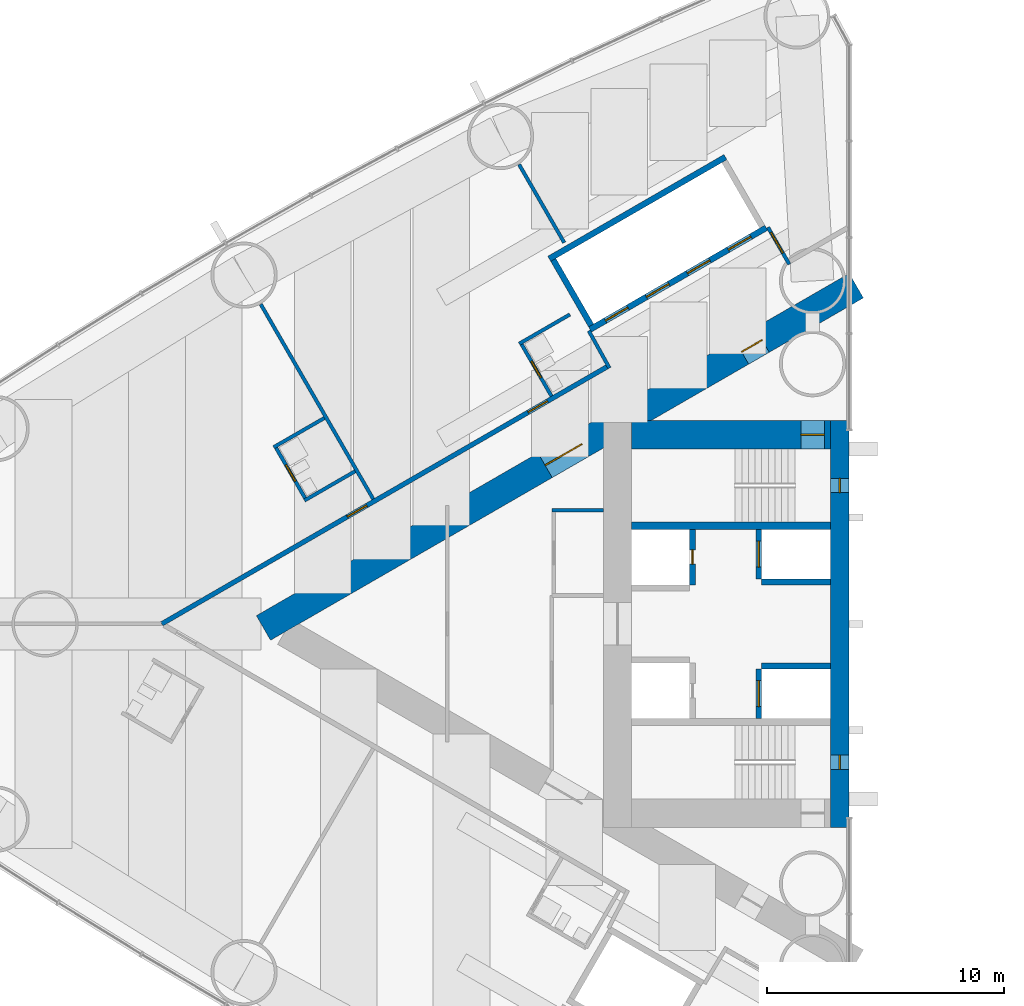
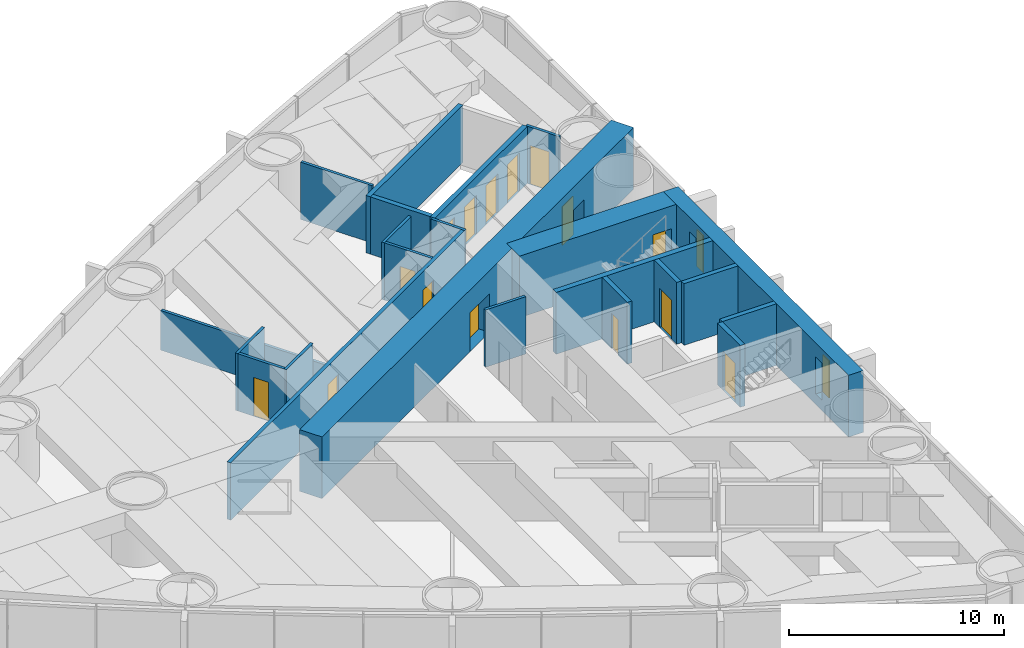
# One storey, part 12 of 19: 23 walls, 15 doors, 2 windows, 17 openings.
"""IFC4 building model written with IfcOpenShell, lengths in metres."""

from ifc_helpers import new_model, si_unit, direction, frame, frame_2d, origin, place, context, subcontext, project, spatial, rectangle, extrude, material, layer, layer_set, type_object, element, fill, save


model = new_model("IFC4")

# Units and contexts
model_context = context("Model", 3, precision=1e-05, world=origin(), true_north=direction((0.0, 1.0)))
body_context = subcontext(model_context, "Body", "Model", "MODEL_VIEW")
ifc_project = project(units=[si_unit("LENGTHUNIT", "METRE"), si_unit("AREAUNIT", "SQUARE_METRE"), si_unit("VOLUMEUNIT", "CUBIC_METRE"), si_unit("PLANEANGLEUNIT", "RADIAN"), si_unit("MASSUNIT", "GRAM", prefix="KILO")], contexts=[model_context])

# Site, building, storey
site_placement = place(None, origin())
site = spatial("IfcSite", under=ifc_project, at=site_placement, CompositionType="ELEMENT")
building_placement = place(site_placement, origin())
building = spatial("IfcBuilding", under=site, at=building_placement, Name="Lancet Gate Hotel", CompositionType="ELEMENT")
storey_placement = place(building_placement, frame((0.0, 0.0, 39.0)))
storey = spatial("IfcBuildingStorey", under=building, at=storey_placement, Name="L09", CompositionType="ELEMENT", Elevation=39.0)

# Wall
ifc_material_1 = material(Name="Moisture resistant board partition")
ifc_layer_1 = layer(ifc_material_1, 0.14990234375)
ifc_layer_set_1 = layer_set([ifc_layer_1], Name="Bathroom wall 150")
wall_type_1 = type_object("IfcWallType", Name="Bathroom wall 150", PredefinedType="PARTITIONING", material=ifc_layer_set_1)
wall_1_placement = place(storey_placement, frame((-49.691650390625, 8.704345703125, 0.0), z_axis=(0.0, 0.0, 1.0), x_axis=(-0.866073894602, -0.499916002032, 0.0)))
element("IfcWall", 1, at=wall_1_placement, inside=storey, type_object=wall_type_1, Name="T1 bathroom wall 150 L09", PredefinedType="PARTITIONING", context=body_context, shape_type="SweptSolid", body=[
    extrude(rectangle(XDim=2.47509765625, YDim=0.14990234375, at=frame_2d((1.237548828125, 0.0))), origin(), (0.0, 0.0, 1.0), 3.25),
])

# Wall, opening, door
wall_2_placement = place(storey_placement, frame((-50.47021484375, 5.252685546875, 0.0), z_axis=(0.0, 0.0, 1.0), x_axis=(-0.500006934395, 0.866021400173, 0.0)))
wall_2 = element("IfcWall", 2, at=wall_2_placement, inside=storey, type_object=wall_type_1, Name="T1 bathroom wall 150 L09", PredefinedType="PARTITIONING", context=body_context, shape_type="SweptSolid", body=[
    extrude(rectangle(XDim=2.60009765625, YDim=0.14990234375, at=frame_2d((1.300048828125, 0.0))), origin(), (0.0, 0.0, 1.0), 3.25),
])
opening_1_placement = place(wall_2_placement, frame((0.89990234375, 0.0, 0.0)))
opening_1 = element("IfcOpeningElement", 3, at=opening_1_placement, cuts=wall_2, Name="Opening 0903-B", PredefinedType="OPENING", context=body_context, shape_type="SweptSolid", body=[
    extrude(rectangle(XDim=0.800048828125, YDim=2.199951171875, at=frame_2d((0.39990234375, 1.10009765625))), frame((0.0, 0.0849609375, 0.0), z_axis=(0.0, -1.0, 0.0), x_axis=(1.0, 0.0, 0.0)), (0.0, 0.0, 1.0), 0.169921875),
])
ifc_material_2 = material(Name="Timber door set", Category="wood")
door_type_1 = type_object("IfcDoorType", Name="Bathroom door 800", OperationType="SINGLE_SWING_RIGHT", PredefinedType="DOOR", material=ifc_material_2)
door_1_placement = place(opening_1_placement, origin())
door_1 = element("IfcDoor", 4, at=door_1_placement, inside=storey, type_object=door_type_1, Name="0903-B", OperationType="SINGLE_SWING_RIGHT", OverallHeight=2.199951171875, OverallWidth=0.800048828125, PredefinedType="DOOR", context=body_context, shape_type="SweptSolid", body=[
    extrude(rectangle(XDim=0.800048828125, YDim=2.199951171875, at=frame_2d((0.39990234375, 1.10009765625))), frame((0.0, 0.02490234375, 0.0), z_axis=(0.0, -1.0, 0.0), x_axis=(1.0, 0.0, 0.0)), (0.0, 0.0, 1.0), 0.050048828125),
])
fill(opening_1, door_1)

# Walls
wall_3_placement = place(storey_placement, frame((-48.391845703125, 6.45263671875, 0.0), z_axis=(0.0, 0.0, 1.0), x_axis=(-0.86604923931, -0.499958713387, 0.0)))
element("IfcWall", 5, at=wall_3_placement, inside=storey, type_object=wall_type_1, Name="T1 bathroom wall 150 L09", PredefinedType="PARTITIONING", context=body_context, shape_type="SweptSolid", body=[
    extrude(rectangle(XDim=2.474853515625, YDim=0.14990234375, at=frame_2d((1.2373046875, 0.0))), origin(), (0.0, 0.0, 1.0), 3.25),
])
wall_4_placement = place(storey_placement, frame((-39.309814453125, 13.081787109375, 0.0), z_axis=(0.0, 0.0, 1.0), x_axis=(-0.866031185235, -0.4999899861, 0.0)))
element("IfcWall", 6, at=wall_4_placement, inside=storey, type_object=wall_type_1, Name="T1 bathroom wall 150 L09", PredefinedType="PARTITIONING", context=body_context, shape_type="SweptSolid", body=[
    extrude(rectangle(XDim=2.47509765625, YDim=0.14990234375, at=frame_2d((1.237548828125, 0.0))), origin(), (0.0, 0.0, 1.0), 3.25),
])

# Wall, opening, door
wall_5_placement = place(storey_placement, frame((-40.08837890625, 9.630126953125, 0.0), z_axis=(0.0, 0.0, 1.0), x_axis=(-0.500006934395, 0.866021400173, 0.0)))
wall_5 = element("IfcWall", 7, at=wall_5_placement, inside=storey, type_object=wall_type_1, Name="T1 bathroom wall 150 L09", PredefinedType="PARTITIONING", context=body_context, shape_type="SweptSolid", body=[
    extrude(rectangle(XDim=2.60009765625, YDim=0.14990234375, at=frame_2d((1.300048828125, 0.0))), origin(), (0.0, 0.0, 1.0), 3.25),
])
opening_2_placement = place(wall_5_placement, frame((0.89990234375, 0.0, 0.0)))
opening_2 = element("IfcOpeningElement", 8, at=opening_2_placement, cuts=wall_5, Name="Opening 0902-B", PredefinedType="OPENING", context=body_context, shape_type="SweptSolid", body=[
    extrude(rectangle(XDim=0.800048828125, YDim=2.199951171875, at=frame_2d((0.39990234375, 1.10009765625))), frame((0.0, 0.0849609375, 0.0), z_axis=(0.0, -1.0, 0.0), x_axis=(1.0, 0.0, 0.0)), (0.0, 0.0, 1.0), 0.169921875),
])
door_2_placement = place(opening_2_placement, origin())
door_2 = element("IfcDoor", 9, at=door_2_placement, inside=storey, type_object=door_type_1, Name="0902-B", OperationType="SINGLE_SWING_RIGHT", OverallHeight=2.199951171875, OverallWidth=0.800048828125, PredefinedType="DOOR", context=body_context, shape_type="SweptSolid", body=[
    extrude(rectangle(XDim=0.800048828125, YDim=2.199951171875, at=frame_2d((0.39990234375, 1.10009765625))), frame((0.0, 0.02490234375, 0.0), z_axis=(0.0, -1.0, 0.0), x_axis=(1.0, 0.0, 0.0)), (0.0, 0.0, 1.0), 0.050048828125),
])
fill(opening_2, door_2)

# Wall, openings, doors
ifc_material_3 = material(Name="Concrete C70/85", Category="concrete")
ifc_layer_2 = layer(ifc_material_3, 1.199951171875)
ifc_layer_set_2 = layer_set([ifc_layer_2], Name="Buttress wall 1200")
wall_type_2 = type_object("IfcWallType", Name="Buttress wall 1200", PredefinedType="SHEAR", material=ifc_layer_set_2)
wall_6_placement = place(storey_placement, frame((-27.199951171875, 14.300048828125, 0.0), z_axis=(0.0, 0.0, 1.0), x_axis=(-0.866026593062, -0.499997940104, 0.0)))
wall_6 = element("IfcWall", 10, at=wall_6_placement, inside=storey, type_object=wall_type_2, Name="T1 buttress wall S L09", PredefinedType="SHEAR", context=body_context, shape_type="SweptSolid", body=[
    extrude(rectangle(XDim=28.9462890625, YDim=1.199951171875, at=frame_2d((14.47314453125, 0.0))), origin(), (0.0, 0.0, 1.0), 3.5),
])
opening_3_placement = place(wall_6_placement, frame((4.60009765625, 0.0, 0.0)))
opening_3 = element("IfcOpeningElement", 11, at=opening_3_placement, cuts=wall_6, Name="Opening T1-L09-LS", PredefinedType="OPENING", context=body_context, shape_type="SweptSolid", body=[
    extrude(rectangle(XDim=1.0, YDim=2.199951171875, at=frame_2d((0.5, 1.10009765625))), frame((0.0, 0.60986328125, 0.0), z_axis=(0.0, -1.0, 0.0), x_axis=(1.0, 0.0, 0.0)), (0.0, 0.0, 1.0), 1.219970703125),
])
opening_4_placement = place(wall_6_placement, frame((13.39453125, 0.0, 0.0)))
opening_4 = element("IfcOpeningElement", 12, at=opening_4_placement, cuts=wall_6, Name="Opening T1-L09-LHS", PredefinedType="OPENING", context=body_context, shape_type="SweptSolid", body=[
    extrude(rectangle(XDim=1.800048828125, YDim=2.199951171875, at=frame_2d((0.89990234375, 1.10009765625))), frame((0.0, 0.60986328125, 0.0), z_axis=(0.0, -1.0, 0.0), x_axis=(1.0, 0.0, 0.0)), (0.0, 0.0, 1.0), 1.219970703125),
])
ifc_material_4 = material(Name="Timber door set", Category="wood")
door_type_2 = type_object("IfcDoorType", Name="Lobby double door 1800", OperationType="DOUBLE_DOOR_SINGLE_SWING", PredefinedType="DOOR", material=ifc_material_4)
door_3_placement = place(opening_4_placement, origin())
door_3 = element("IfcDoor", 13, at=door_3_placement, inside=storey, type_object=door_type_2, Name="T1-L09-LHS", OperationType="DOUBLE_DOOR_SINGLE_SWING", OverallHeight=2.199951171875, OverallWidth=1.800048828125, PredefinedType="DOOR", context=body_context, shape_type="SweptSolid", body=[
    extrude(rectangle(XDim=1.800048828125, YDim=2.199951171875, at=frame_2d((0.89990234375, 1.10009765625))), frame((0.0, 0.02490234375, 0.0), z_axis=(0.0, -1.0, 0.0), x_axis=(1.0, 0.0, 0.0)), (0.0, 0.0, 1.0), 0.050048828125),
])
fill(opening_4, door_3)
ifc_material_5 = material(Name="Timber door set", Category="wood")
door_type_3 = type_object("IfcDoorType", Name="Stair lobby door 1000", OperationType="SINGLE_SWING_LEFT", PredefinedType="DOOR", material=ifc_material_5)
door_4_placement = place(opening_3_placement, origin())
door_4 = element("IfcDoor", 14, at=door_4_placement, inside=storey, type_object=door_type_3, Name="T1-L09-LS", OperationType="SINGLE_SWING_LEFT", OverallHeight=2.199951171875, OverallWidth=1.0, PredefinedType="DOOR", context=body_context, shape_type="SweptSolid", body=[
    extrude(rectangle(XDim=1.0, YDim=2.199951171875, at=frame_2d((0.5, 1.10009765625))), frame((0.0, 0.02490234375, 0.0), z_axis=(0.0, -1.0, 0.0), x_axis=(1.0, 0.0, 0.0)), (0.0, 0.0, 1.0), 0.050048828125),
])
fill(opening_3, door_4)

# Wall, opening, door
ifc_material_6 = material(Name="Concrete C70/85", Category="concrete")
ifc_layer_3 = layer(ifc_material_6, 1.199951171875)
ifc_layer_set_3 = layer_set([ifc_layer_3], Name="Core wall 1200")
wall_type_3 = type_object("IfcWallType", Name="Core wall 1200", PredefinedType="SHEAR", material=ifc_layer_set_3)
wall_7_placement = place(storey_placement, frame((-28.300048828125, 8.0, 0.0), z_axis=(0.0, 0.0, 1.0), x_axis=(-1.0, 0.0, 0.0)))
wall_7 = element("IfcWall", 15, at=wall_7_placement, inside=storey, type_object=wall_type_3, Name="T1 core wall side-S L09", PredefinedType="SHEAR", context=body_context, shape_type="SweptSolid", body=[
    extrude(rectangle(XDim=8.39990234375, YDim=1.199951171875, at=frame_2d((4.199951171875, 0.0))), origin(), (0.0, 0.0, 1.0), 3.5),
])
opening_5_placement = place(wall_7_placement, frame((0.25, 0.0, 0.0)))
opening_5 = element("IfcOpeningElement", 16, at=opening_5_placement, cuts=wall_7, Name="Opening T1-L09-ST1", PredefinedType="OPENING", context=body_context, shape_type="SweptSolid", body=[
    extrude(rectangle(XDim=1.0, YDim=2.199951171875, at=frame_2d((0.5, 1.10009765625))), frame((0.0, 0.60986328125, 0.0), z_axis=(0.0, -1.0, 0.0), x_axis=(1.0, 0.0, 0.0)), (0.0, 0.0, 1.0), 1.219970703125),
])
ifc_material_7 = material(Name="Timber door set", Category="wood")
door_type_4 = type_object("IfcDoorType", Name="Stair door 1000", OperationType="SINGLE_SWING_RIGHT", PredefinedType="DOOR", material=ifc_material_7)
door_5_placement = place(opening_5_placement, origin())
door_5 = element("IfcDoor", 17, at=door_5_placement, inside=storey, type_object=door_type_4, Name="T1-L09-ST1", OperationType="SINGLE_SWING_RIGHT", OverallHeight=2.199951171875, OverallWidth=1.0, PredefinedType="DOOR", context=body_context, shape_type="SweptSolid", body=[
    extrude(rectangle(XDim=1.0, YDim=2.199951171875, at=frame_2d((0.5, 1.10009765625))), frame((0.0, 0.02490234375, 0.0), z_axis=(0.0, -1.0, 0.0), x_axis=(1.0, 0.0, 0.0)), (0.0, 0.0, 1.0), 0.050048828125),
])
fill(opening_5, door_5)

# Wall, openings, windows
ifc_material_8 = material(Name="Concrete C70/85", Category="concrete")
ifc_layer_4 = layer(ifc_material_8, 0.800048828125)
ifc_layer_set_4 = layer_set([ifc_layer_4], Name="Core wall 800")
wall_type_4 = type_object("IfcWallType", Name="Core wall 800", PredefinedType="SHEAR", material=ifc_layer_set_4)
wall_8_placement = place(storey_placement, frame((-27.89990234375, 8.60009765625, 0.0), z_axis=(0.0, 0.0, 1.0), x_axis=(0.0, -1.0, 0.0)))
wall_8 = element("IfcWall", 18, at=wall_8_placement, inside=storey, type_object=wall_type_4, Name="T1 core wall front L09", PredefinedType="SHEAR", context=body_context, shape_type="SweptSolid", body=[
    extrude(rectangle(XDim=17.2001953125, YDim=0.800048828125, at=frame_2d((8.60009765625, 0.0))), origin(), (0.0, 0.0, 1.0), 3.5),
])
opening_6_placement = place(wall_8_placement, frame((2.449951171875, 0.0, 0.60009765625)))
opening_6 = element("IfcOpeningElement", 19, at=opening_6_placement, cuts=wall_8, Name="Opening LW1", PredefinedType="OPENING", context=body_context, shape_type="SweptSolid", body=[
    extrude(rectangle(XDim=0.60009765625, YDim=2.10009765625, at=frame_2d((0.300048828125, 1.050048828125))), frame((0.0, 0.409912109375, 0.0), z_axis=(0.0, -1.0, 0.0), x_axis=(1.0, 0.0, 0.0)), (0.0, 0.0, 1.0), 0.820068359375),
])
opening_7_placement = place(wall_8_placement, frame((14.14990234375, 0.0, 0.60009765625)))
opening_7 = element("IfcOpeningElement", 20, at=opening_7_placement, cuts=wall_8, Name="Opening LW1", PredefinedType="OPENING", context=body_context, shape_type="SweptSolid", body=[
    extrude(rectangle(XDim=0.60009765625, YDim=2.10009765625, at=frame_2d((0.300048828125, 1.050048828125))), frame((0.0, 0.409912109375, 0.0), z_axis=(0.0, -1.0, 0.0), x_axis=(1.0, 0.0, 0.0)), (0.0, 0.0, 1.0), 0.820068359375),
])
ifc_material_9 = material(Name="Fire-resisting glazed steel window", Category="steel")
window_type = type_object("IfcWindowType", Name="Lancet window 600x2100", PartitioningType="SINGLE_PANEL", PredefinedType="WINDOW", material=ifc_material_9)
window_1_placement = place(opening_6_placement, origin())
window_1 = element("IfcWindow", 21, at=window_1_placement, inside=storey, type_object=window_type, Name="T1 stair window S L09", OverallHeight=2.10009765625, OverallWidth=0.60009765625, PartitioningType="SINGLE_PANEL", PredefinedType="WINDOW", context=body_context, shape_type="SweptSolid", body=[
    extrude(rectangle(XDim=0.60009765625, YDim=2.10009765625, at=frame_2d((0.300048828125, 1.050048828125))), frame((0.0, 0.030029296875, 0.0), z_axis=(0.0, -1.0, 0.0), x_axis=(1.0, 0.0, 0.0)), (0.0, 0.0, 1.0), 0.06005859375),
])
fill(opening_6, window_1)
window_2_placement = place(opening_7_placement, origin())
window_2 = element("IfcWindow", 22, at=window_2_placement, inside=storey, type_object=window_type, Name="T1 stair window N L09", OverallHeight=2.10009765625, OverallWidth=0.60009765625, PartitioningType="SINGLE_PANEL", PredefinedType="WINDOW", context=body_context, shape_type="SweptSolid", body=[
    extrude(rectangle(XDim=0.60009765625, YDim=2.10009765625, at=frame_2d((0.300048828125, 1.050048828125))), frame((0.0, 0.030029296875, 0.0), z_axis=(0.0, -1.0, 0.0), x_axis=(1.0, 0.0, 0.0)), (0.0, 0.0, 1.0), 0.06005859375),
])
fill(opening_7, window_2)

# Wall, openings, doors
ifc_material_10 = material(Name="Gypsum board partition")
ifc_layer_5 = layer(ifc_material_10, 0.199951171875)
ifc_layer_set_5 = layer_set([ifc_layer_5], Name="Corridor wall 200")
wall_type_5 = type_object("IfcWallType", Name="Corridor wall 200", PredefinedType="PARTITIONING", material=ifc_layer_set_5)
wall_9_placement = place(storey_placement, frame((-37.699951171875, 10.8935546875, 0.0), z_axis=(0.0, 0.0, 1.0), x_axis=(-0.866027905338, -0.499995667157, 0.0)))
wall_9 = element("IfcWall", 23, at=wall_9_placement, inside=storey, type_object=wall_type_5, Name="T1 corridor wall 200 L09", PredefinedType="PARTITIONING", context=body_context, shape_type="SweptSolid", body=[
    extrude(rectangle(XDim=21.787353515625, YDim=0.199951171875, at=frame_2d((10.8935546875, 0.0))), origin(), (0.0, 0.0, 1.0), 3.25),
])
opening_8_placement = place(wall_9_placement, frame((11.77978515625, 0.0, 0.0)))
opening_8 = element("IfcOpeningElement", 24, at=opening_8_placement, cuts=wall_9, Name="Opening 0903-E", PredefinedType="OPENING", context=body_context, shape_type="SweptSolid", body=[
    extrude(rectangle(XDim=0.949951171875, YDim=2.199951171875, at=frame_2d((0.47509765625, 1.10009765625))), frame((0.0, 0.10986328125, 0.0), z_axis=(0.0, -1.0, 0.0), x_axis=(1.0, 0.0, 0.0)), (0.0, 0.0, 1.0), 0.219970703125),
])
opening_9_placement = place(wall_9_placement, frame((2.949951171875, 0.0, 0.0)))
opening_9 = element("IfcOpeningElement", 25, at=opening_9_placement, cuts=wall_9, Name="Opening 0902-E", PredefinedType="OPENING", context=body_context, shape_type="SweptSolid", body=[
    extrude(rectangle(XDim=0.949951171875, YDim=2.199951171875, at=frame_2d((0.47509765625, 1.10009765625))), frame((0.0, 0.10986328125, 0.0), z_axis=(0.0, -1.0, 0.0), x_axis=(1.0, 0.0, 0.0)), (0.0, 0.0, 1.0), 0.219970703125),
])
ifc_material_11 = material(Name="Timber door set", Category="wood")
door_type_5 = type_object("IfcDoorType", Name="Guest room entry door 950", OperationType="SINGLE_SWING_LEFT", PredefinedType="DOOR", material=ifc_material_11)
door_6_placement = place(opening_8_placement, origin())
door_6 = element("IfcDoor", 26, at=door_6_placement, inside=storey, type_object=door_type_5, Name="0903-E", OperationType="SINGLE_SWING_LEFT", OverallHeight=2.199951171875, OverallWidth=0.949951171875, PredefinedType="DOOR", context=body_context, shape_type="SweptSolid", body=[
    extrude(rectangle(XDim=0.949951171875, YDim=2.199951171875, at=frame_2d((0.47509765625, 1.10009765625))), frame((0.0, 0.02490234375, 0.0), z_axis=(0.0, -1.0, 0.0), x_axis=(1.0, 0.0, 0.0)), (0.0, 0.0, 1.0), 0.050048828125),
])
fill(opening_8, door_6)
door_7_placement = place(opening_9_placement, origin())
door_7 = element("IfcDoor", 27, at=door_7_placement, inside=storey, type_object=door_type_5, Name="0902-E", OperationType="SINGLE_SWING_LEFT", OverallHeight=2.199951171875, OverallWidth=0.949951171875, PredefinedType="DOOR", context=body_context, shape_type="SweptSolid", body=[
    extrude(rectangle(XDim=0.949951171875, YDim=2.199951171875, at=frame_2d((0.47509765625, 1.10009765625))), frame((0.0, 0.02490234375, 0.0), z_axis=(0.0, -1.0, 0.0), x_axis=(1.0, 0.0, 0.0)), (0.0, 0.0, 1.0), 0.050048828125),
])
fill(opening_9, door_7)

ifc_material_12 = material(Name="Gypsum board partition")
ifc_layer_6 = layer(ifc_material_12, 0.25)
ifc_layer_set_6 = layer_set([ifc_layer_6], Name="Lift shaft partition 250")
wall_type_6 = type_object("IfcWallType", Name="Lift shaft partition 250", PredefinedType="PARTITIONING", material=ifc_layer_set_6)
wall_10_placement = place(storey_placement, frame((-31.010498046875, 16.747314453125, 0.0), z_axis=(0.0, 0.0, 1.0), x_axis=(-0.866028165386, -0.499995216735, 0.0)))
wall_10 = element("IfcWall", 28, at=wall_10_placement, inside=storey, type_object=wall_type_6, Name="T1 lift shaft wall LR L09", PredefinedType="PARTITIONING", context=body_context, shape_type="SweptSolid", body=[
    extrude(rectangle(XDim=8.60009765625, YDim=0.25, at=frame_2d((4.300048828125, 0.0))), origin(), (0.0, 0.0, 1.0), 3.25),
])
opening_10_placement = place(wall_10_placement, frame((0.75, 0.0, 0.0)))
opening_10 = element("IfcOpeningElement", 29, at=opening_10_placement, cuts=wall_10, Name="Opening T1-LR1-L09", PredefinedType="OPENING", context=body_context, shape_type="SweptSolid", body=[
    extrude(rectangle(XDim=1.10009765625, YDim=2.199951171875, at=frame_2d((0.550048828125, 1.10009765625))), frame((0.0, 0.135009765625, 0.0), z_axis=(0.0, -1.0, 0.0), x_axis=(1.0, 0.0, 0.0)), (0.0, 0.0, 1.0), 0.27001953125),
])
opening_11_placement = place(wall_10_placement, frame((2.75, 0.0, 0.0)))
opening_11 = element("IfcOpeningElement", 30, at=opening_11_placement, cuts=wall_10, Name="Opening T1-LR2-L09", PredefinedType="OPENING", context=body_context, shape_type="SweptSolid", body=[
    extrude(rectangle(XDim=1.10009765625, YDim=2.199951171875, at=frame_2d((0.550048828125, 1.10009765625))), frame((0.0, 0.135009765625, 0.0), z_axis=(0.0, -1.0, 0.0), x_axis=(1.0, 0.0, 0.0)), (0.0, 0.0, 1.0), 0.27001953125),
])
opening_12_placement = place(wall_10_placement, frame((4.75, 0.0, 0.0)))
opening_12 = element("IfcOpeningElement", 31, at=opening_12_placement, cuts=wall_10, Name="Opening T1-LR3-L09", PredefinedType="OPENING", context=body_context, shape_type="SweptSolid", body=[
    extrude(rectangle(XDim=1.10009765625, YDim=2.199951171875, at=frame_2d((0.550048828125, 1.10009765625))), frame((0.0, 0.135009765625, 0.0), z_axis=(0.0, -1.0, 0.0), x_axis=(1.0, 0.0, 0.0)), (0.0, 0.0, 1.0), 0.27001953125),
])
opening_13_placement = place(wall_10_placement, frame((6.75, 0.0, 0.0)))
opening_13 = element("IfcOpeningElement", 32, at=opening_13_placement, cuts=wall_10, Name="Opening T1-LR4-L09", PredefinedType="OPENING", context=body_context, shape_type="SweptSolid", body=[
    extrude(rectangle(XDim=1.10009765625, YDim=2.199951171875, at=frame_2d((0.550048828125, 1.10009765625))), frame((0.0, 0.135009765625, 0.0), z_axis=(0.0, -1.0, 0.0), x_axis=(1.0, 0.0, 0.0)), (0.0, 0.0, 1.0), 0.27001953125),
])
ifc_material_13 = material(Name="Steel door set", Category="steel")
door_type_6 = type_object("IfcDoorType", Name="Lift landing door 1100", OperationType="DOUBLE_DOOR_SLIDING", PredefinedType="USERDEFINED", material=ifc_material_13)
door_8_placement = place(opening_10_placement, origin())
door_8 = element("IfcDoor", 33, at=door_8_placement, inside=storey, type_object=door_type_6, Name="T1-LR1-L09", ObjectType="LIFT LANDING DOOR", OperationType="DOUBLE_DOOR_SLIDING", OverallHeight=2.199951171875, OverallWidth=1.10009765625, PredefinedType="USERDEFINED", context=body_context, shape_type="SweptSolid", body=[
    extrude(rectangle(XDim=1.10009765625, YDim=2.199951171875, at=frame_2d((0.550048828125, 1.10009765625))), frame((0.0, 0.02490234375, 0.0), z_axis=(0.0, -1.0, 0.0), x_axis=(1.0, 0.0, 0.0)), (0.0, 0.0, 1.0), 0.050048828125),
])
fill(opening_10, door_8)
door_9_placement = place(opening_11_placement, origin())
door_9 = element("IfcDoor", 34, at=door_9_placement, inside=storey, type_object=door_type_6, Name="T1-LR2-L09", ObjectType="LIFT LANDING DOOR", OperationType="DOUBLE_DOOR_SLIDING", OverallHeight=2.199951171875, OverallWidth=1.10009765625, PredefinedType="USERDEFINED", context=body_context, shape_type="SweptSolid", body=[
    extrude(rectangle(XDim=1.10009765625, YDim=2.199951171875, at=frame_2d((0.550048828125, 1.10009765625))), frame((0.0, 0.02490234375, 0.0), z_axis=(0.0, -1.0, 0.0), x_axis=(1.0, 0.0, 0.0)), (0.0, 0.0, 1.0), 0.050048828125),
])
fill(opening_11, door_9)
door_10_placement = place(opening_12_placement, origin())
door_10 = element("IfcDoor", 35, at=door_10_placement, inside=storey, type_object=door_type_6, Name="T1-LR3-L09", ObjectType="LIFT LANDING DOOR", OperationType="DOUBLE_DOOR_SLIDING", OverallHeight=2.199951171875, OverallWidth=1.10009765625, PredefinedType="USERDEFINED", context=body_context, shape_type="SweptSolid", body=[
    extrude(rectangle(XDim=1.10009765625, YDim=2.199951171875, at=frame_2d((0.550048828125, 1.10009765625))), frame((0.0, 0.02490234375, 0.0), z_axis=(0.0, -1.0, 0.0), x_axis=(1.0, 0.0, 0.0)), (0.0, 0.0, 1.0), 0.050048828125),
])
fill(opening_12, door_10)
door_11_placement = place(opening_13_placement, origin())
door_11 = element("IfcDoor", 36, at=door_11_placement, inside=storey, type_object=door_type_6, Name="T1-LR4-L09", ObjectType="LIFT LANDING DOOR", OperationType="DOUBLE_DOOR_SLIDING", OverallHeight=2.199951171875, OverallWidth=1.10009765625, PredefinedType="USERDEFINED", context=body_context, shape_type="SweptSolid", body=[
    extrude(rectangle(XDim=1.10009765625, YDim=2.199951171875, at=frame_2d((0.550048828125, 1.10009765625))), frame((0.0, 0.02490234375, 0.0), z_axis=(0.0, -1.0, 0.0), x_axis=(1.0, 0.0, 0.0)), (0.0, 0.0, 1.0), 0.050048828125),
])
fill(opening_13, door_11)

# Walls
wall_11_placement = place(storey_placement, frame((-32.735595703125, 19.73583984375, 0.0), z_axis=(0.0, 0.0, 1.0), x_axis=(-0.866028165386, -0.499995216735, 0.0)))
element("IfcWall", 37, at=wall_11_placement, inside=storey, type_object=wall_type_6, Name="T1 lift shaft wall LR L09", PredefinedType="PARTITIONING", context=body_context, shape_type="SweptSolid", body=[
    extrude(rectangle(XDim=8.60009765625, YDim=0.25, at=frame_2d((4.300048828125, 0.0))), origin(), (0.0, 0.0, 1.0), 3.25),
])
wall_12_placement = place(storey_placement, frame((-38.412841796875, 12.617919921875, 0.0), z_axis=(0.0, 0.0, 1.0), x_axis=(-0.499872130319, 0.866099216793, 0.0)))
element("IfcWall", 38, at=wall_12_placement, inside=storey, type_object=wall_type_6, Name="T1 lift shaft wall LR L09", PredefinedType="PARTITIONING", context=body_context, shape_type="SweptSolid", body=[
    extrude(rectangle(XDim=3.200439453125, YDim=0.25, at=frame_2d((1.60009765625, 0.0))), origin(), (0.0, 0.0, 1.0), 3.25),
])

# Wall, opening, door
ifc_material_14 = material(Name="Concrete C50/60", Category="concrete")
ifc_layer_7 = layer(ifc_material_14, 0.25)
ifc_layer_set_7 = layer_set([ifc_layer_7], Name="Lift shaft wall 250")
wall_type_7 = type_object("IfcWallType", Name="Lift shaft wall 250", PredefinedType="SHEAR", material=ifc_layer_set_7)
wall_13_placement = place(storey_placement, frame((-31.324951171875, 4.0, 0.0), z_axis=(0.0, 0.0, 1.0), x_axis=(0.0, -1.0, 0.0)))
wall_13 = element("IfcWall", 39, at=wall_13_placement, inside=storey, type_object=wall_type_7, Name="T1 core wall row1-S L09", PredefinedType="SHEAR", context=body_context, shape_type="SweptSolid", body=[
    extrude(rectangle(XDim=2.10009765625, YDim=0.25, at=frame_2d((1.050048828125, 0.0))), origin(), (0.0, 0.0, 1.0), 3.5),
])
opening_14_placement = place(wall_13_placement, frame((0.5, 0.0, 0.0)))
opening_14 = element("IfcOpeningElement", 40, at=opening_14_placement, cuts=wall_13, Name="Opening T1-SL1-L09", PredefinedType="OPENING", context=body_context, shape_type="SweptSolid", body=[
    extrude(rectangle(XDim=1.10009765625, YDim=2.199951171875, at=frame_2d((0.550048828125, 1.10009765625))), frame((0.0, 0.135009765625, 0.0), z_axis=(0.0, -1.0, 0.0), x_axis=(1.0, 0.0, 0.0)), (0.0, 0.0, 1.0), 0.27001953125),
])
ifc_material_15 = material(Name="Timber door set", Category="wood")
door_type_7 = type_object("IfcDoorType", Name="Service lift landing door 1100", OperationType="SLIDING_TO_LEFT", PredefinedType="USERDEFINED", material=ifc_material_15)
door_12_placement = place(opening_14_placement, origin())
door_12 = element("IfcDoor", 41, at=door_12_placement, inside=storey, type_object=door_type_7, Name="T1-SL1-L09", ObjectType="LIFT LANDING DOOR", OperationType="SLIDING_TO_LEFT", OverallHeight=2.199951171875, OverallWidth=1.10009765625, PredefinedType="USERDEFINED", context=body_context, shape_type="SweptSolid", body=[
    extrude(rectangle(XDim=1.10009765625, YDim=2.199951171875, at=frame_2d((0.550048828125, 1.10009765625))), frame((0.0, 0.02490234375, 0.0), z_axis=(0.0, -1.0, 0.0), x_axis=(1.0, 0.0, 0.0)), (0.0, 0.0, 1.0), 0.050048828125),
])
fill(opening_14, door_12)

wall_14_placement = place(storey_placement, frame((-34.125, 4.0, 0.0), z_axis=(0.0, 0.0, 1.0), x_axis=(0.0, -1.0, 0.0)))
wall_14 = element("IfcWall", 42, at=wall_14_placement, inside=storey, type_object=wall_type_7, Name="T1 core wall row2-S L09", PredefinedType="SHEAR", context=body_context, shape_type="SweptSolid", body=[
    extrude(rectangle(XDim=2.35009765625, YDim=0.25, at=frame_2d((1.175048828125, 0.0))), origin(), (0.0, 0.0, 1.0), 3.5),
])
opening_15_placement = place(wall_14_placement, frame((0.875, 0.0, 0.0)))
opening_15 = element("IfcOpeningElement", 43, at=opening_15_placement, cuts=wall_14, Name="Opening T1-OL3-L09-E", PredefinedType="OPENING", context=body_context, shape_type="SweptSolid", body=[
    extrude(rectangle(XDim=0.60009765625, YDim=2.0, at=frame_2d((0.300048828125, 1.0))), frame((0.0, 0.135009765625, 0.0), z_axis=(0.0, -1.0, 0.0), x_axis=(1.0, 0.0, 0.0)), (0.0, 0.0, 1.0), 0.27001953125),
])
ifc_material_16 = material(Name="Steel door set", Category="steel")
door_type_8 = type_object("IfcDoorType", Name="Lift shaft emergency door 600x2000", OperationType="SLIDING_TO_LEFT", PredefinedType="DOOR", material=ifc_material_16)
door_13_placement = place(opening_15_placement, origin())
door_13 = element("IfcDoor", 44, at=door_13_placement, inside=storey, type_object=door_type_8, Name="T1-OL3-L09-E", OperationType="SLIDING_TO_LEFT", OverallHeight=2.0, OverallWidth=0.60009765625, PredefinedType="DOOR", context=body_context, shape_type="SweptSolid", body=[
    extrude(rectangle(XDim=0.60009765625, YDim=2.0, at=frame_2d((0.300048828125, 1.0))), frame((0.0, 0.02490234375, 0.0), z_axis=(0.0, -1.0, 0.0), x_axis=(1.0, 0.0, 0.0)), (0.0, 0.0, 1.0), 0.050048828125),
])
fill(opening_15, door_13)

# Wall
wall_15_placement = place(storey_placement, frame((-28.300048828125, 1.77490234375, 0.0), z_axis=(0.0, 0.0, 1.0), x_axis=(-1.0, 0.0, 0.0)))
element("IfcWall", 45, at=wall_15_placement, inside=storey, type_object=wall_type_7, Name="T1 core wall pass1-S L09", PredefinedType="SHEAR", context=body_context, shape_type="SweptSolid", body=[
    extrude(rectangle(XDim=2.89990234375, YDim=0.25, at=frame_2d((1.449951171875, 0.0))), origin(), (0.0, 0.0, 1.0), 3.5),
])

# Wall, opening, door
wall_16_placement = place(storey_placement, frame((-31.324951171875, -1.89990234375, 0.0), z_axis=(0.0, 0.0, 1.0), x_axis=(0.0, -1.0, 0.0)))
wall_16 = element("IfcWall", 46, at=wall_16_placement, inside=storey, type_object=wall_type_7, Name="T1 core wall row1-N L09", PredefinedType="SHEAR", context=body_context, shape_type="SweptSolid", body=[
    extrude(rectangle(XDim=2.10009765625, YDim=0.25, at=frame_2d((1.050048828125, 0.0))), origin(), (0.0, 0.0, 1.0), 3.5),
])
opening_16_placement = place(wall_16_placement, frame((0.5, 0.0, 0.0)))
opening_16 = element("IfcOpeningElement", 47, at=opening_16_placement, cuts=wall_16, Name="Opening T1-FL2-L09", PredefinedType="OPENING", context=body_context, shape_type="SweptSolid", body=[
    extrude(rectangle(XDim=1.10009765625, YDim=2.199951171875, at=frame_2d((0.550048828125, 1.10009765625))), frame((0.0, 0.135009765625, 0.0), z_axis=(0.0, -1.0, 0.0), x_axis=(1.0, 0.0, 0.0)), (0.0, 0.0, 1.0), 0.27001953125),
])
ifc_material_17 = material(Name="Steel door set", Category="steel")
door_type_9 = type_object("IfcDoorType", Name="Firefighting lift landing door 1100", OperationType="SLIDING_TO_LEFT", PredefinedType="USERDEFINED", material=ifc_material_17)
door_14_placement = place(opening_16_placement, origin())
door_14 = element("IfcDoor", 48, at=door_14_placement, inside=storey, type_object=door_type_9, Name="T1-FL2-L09", ObjectType="LIFT LANDING DOOR", OperationType="SLIDING_TO_LEFT", OverallHeight=2.199951171875, OverallWidth=1.10009765625, PredefinedType="USERDEFINED", context=body_context, shape_type="SweptSolid", body=[
    extrude(rectangle(XDim=1.10009765625, YDim=2.199951171875, at=frame_2d((0.550048828125, 1.10009765625))), frame((0.0, 0.02490234375, 0.0), z_axis=(0.0, -1.0, 0.0), x_axis=(1.0, 0.0, 0.0)), (0.0, 0.0, 1.0), 0.050048828125),
])
fill(opening_16, door_14)

# Walls
wall_17_placement = place(storey_placement, frame((-28.300048828125, -1.77490234375, 0.0), z_axis=(0.0, 0.0, 1.0), x_axis=(-1.0, 0.0, 0.0)))
element("IfcWall", 49, at=wall_17_placement, inside=storey, type_object=wall_type_7, Name="T1 core wall pass1-N L09", PredefinedType="SHEAR", context=body_context, shape_type="SweptSolid", body=[
    extrude(rectangle(XDim=2.89990234375, YDim=0.25, at=frame_2d((1.449951171875, 0.0))), origin(), (0.0, 0.0, 1.0), 3.5),
])
ifc_material_18 = material(Name="Gypsum board partition")
ifc_layer_8 = layer(ifc_material_18, 0.14990234375)
ifc_layer_set_8 = layer_set([ifc_layer_8], Name="Party wall 150")
wall_type_8 = type_object("IfcWallType", Name="Party wall 150", PredefinedType="PARTITIONING", material=ifc_layer_set_8)
wall_18_placement = place(storey_placement, frame((-47.626708984375, 5.27783203125, 0.0), z_axis=(0.0, 0.0, 1.0), x_axis=(-0.500009844318, 0.86601972009, 0.0)))
element("IfcWall", 50, at=wall_18_placement, inside=storey, type_object=wall_type_8, Name="T1 party wall 150 L09", PredefinedType="PARTITIONING", context=body_context, shape_type="SweptSolid", body=[
    extrude(rectangle(XDim=9.510498046875, YDim=0.14990234375, at=frame_2d((4.75537109375, 0.0))), origin(), (0.0, 0.0, 1.0), 2.25),
])
wall_19_placement = place(storey_placement, frame((-39.55078125, 16.11865234375, 0.0), z_axis=(0.0, 0.0, 1.0), x_axis=(-0.500014214979, 0.866017196607, 0.0)))
element("IfcWall", 51, at=wall_19_placement, inside=storey, type_object=wall_type_8, Name="T1 party wall 150 L09", PredefinedType="PARTITIONING", context=body_context, shape_type="SweptSolid", body=[
    extrude(rectangle(XDim=3.81494140625, YDim=0.14990234375, at=frame_2d((1.907470703125, 0.0))), origin(), (0.0, 0.0, 1.0), 3.25),
])
ifc_material_19 = material(Name="Gypsum board partition")
ifc_layer_9 = layer(ifc_material_19, 0.14990234375)
ifc_layer_set_9 = layer_set([ifc_layer_9], Name="Service room wall 150")
wall_type_9 = type_object("IfcWallType", Name="Service room wall 150", PredefinedType="PARTITIONING", material=ifc_layer_set_9)
wall_20_placement = place(storey_placement, frame((-38.513427734375, 12.392333984375, 0.0), z_axis=(0.0, 0.0, 1.0), x_axis=(0.485585508183, -0.874189175317, 0.0)))
element("IfcWall", 52, at=wall_20_placement, inside=storey, type_object=wall_type_9, Name="T1 service room wall 150 L09", PredefinedType="PARTITIONING", context=body_context, shape_type="SweptSolid", body=[
    extrude(rectangle(XDim=1.804931640625, YDim=0.14990234375, at=frame_2d((0.90234375, 0.0))), origin(), (0.0, 0.0, 1.0), 3.25),
])

# Wall, opening, door
wall_21_placement = place(storey_placement, frame((-30.033203125, 15.20458984375, 0.0), z_axis=(0.0, 0.0, 1.0), x_axis=(-0.499980071345, 0.866036909293, 0.0)))
wall_21 = element("IfcWall", 53, at=wall_21_placement, inside=storey, type_object=wall_type_9, Name="T1 service room wall 150 L09", PredefinedType="PARTITIONING", context=body_context, shape_type="SweptSolid", body=[
    extrude(rectangle(XDim=1.8046875, YDim=0.14990234375, at=frame_2d((0.90234375, 0.0))), origin(), (0.0, 0.0, 1.0), 3.25),
])
opening_17_placement = place(wall_21_placement, frame((0.552001953125, 0.0, 0.0)))
opening_17 = element("IfcOpeningElement", 54, at=opening_17_placement, cuts=wall_21, Name="Opening T1-L09-LO1", PredefinedType="OPENING", context=body_context, shape_type="SweptSolid", body=[
    extrude(rectangle(XDim=1.0, YDim=2.199951171875, at=frame_2d((0.5, 1.10009765625))), frame((0.0, 0.0849609375, 0.0), z_axis=(0.0, -1.0, 0.0), x_axis=(1.0, 0.0, 0.0)), (0.0, 0.0, 1.0), 0.169921875),
])
ifc_material_20 = material(Name="Timber door set", Category="wood")
door_type_10 = type_object("IfcDoorType", Name="Service door 1000", OperationType="SINGLE_SWING_LEFT", PredefinedType="DOOR", material=ifc_material_20)
door_15_placement = place(opening_17_placement, origin())
door_15 = element("IfcDoor", 55, at=door_15_placement, inside=storey, type_object=door_type_10, Name="T1-L09-LO1", OperationType="SINGLE_SWING_LEFT", OverallHeight=2.199951171875, OverallWidth=1.0, PredefinedType="DOOR", context=body_context, shape_type="SweptSolid", body=[
    extrude(rectangle(XDim=1.0, YDim=2.199951171875, at=frame_2d((0.5, 1.10009765625))), frame((0.0, 0.02490234375, 0.0), z_axis=(0.0, -1.0, 0.0), x_axis=(1.0, 0.0, 0.0)), (0.0, 0.0, 1.0), 0.050048828125),
])
fill(opening_17, door_15)

# Walls
wall_22_placement = place(storey_placement, frame((-37.89990234375, 4.800048828125, 0.0), z_axis=(0.0, 0.0, 1.0), x_axis=(-1.0, 0.0, 0.0)))
element("IfcWall", 56, at=wall_22_placement, inside=storey, type_object=wall_type_9, Name="T1 service room wall 150 L09", PredefinedType="PARTITIONING", context=body_context, shape_type="SweptSolid", body=[
    extrude(rectangle(XDim=2.175048828125, YDim=0.14990234375, at=frame_2d((1.08740234375, 0.0))), origin(), (0.0, 0.0, 1.0), 3.25),
])
ifc_material_21 = material(Name="Concrete C50/60", Category="concrete")
ifc_layer_10 = layer(ifc_material_21, 0.300048828125)
ifc_layer_set_10 = layer_set([ifc_layer_10], Name="Stair enclosure wall 300")
wall_type_10 = type_object("IfcWallType", Name="Stair enclosure wall 300", PredefinedType="SHEAR", material=ifc_layer_set_10)
wall_23_placement = place(storey_placement, frame((-28.300048828125, 4.14990234375, 0.0), z_axis=(0.0, 0.0, 1.0), x_axis=(-1.0, 0.0, 0.0)))
element("IfcWall", 57, at=wall_23_placement, inside=storey, type_object=wall_type_10, Name="T1 core wall stair-S L09", PredefinedType="SHEAR", context=body_context, shape_type="SweptSolid", body=[
    extrude(rectangle(XDim=8.39990234375, YDim=0.300048828125, at=frame_2d((4.199951171875, 0.0))), origin(), (0.0, 0.0, 1.0), 3.5),
])

save(model, "model.ifc")
